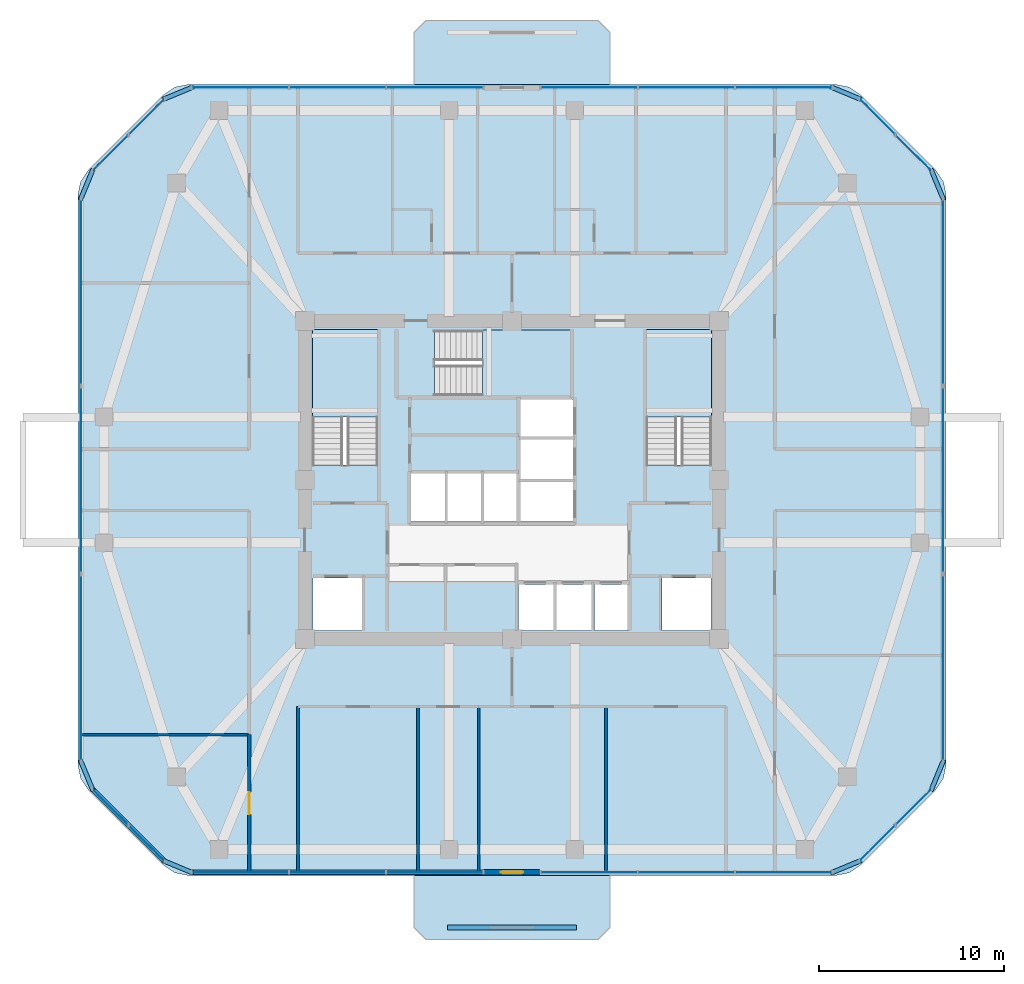
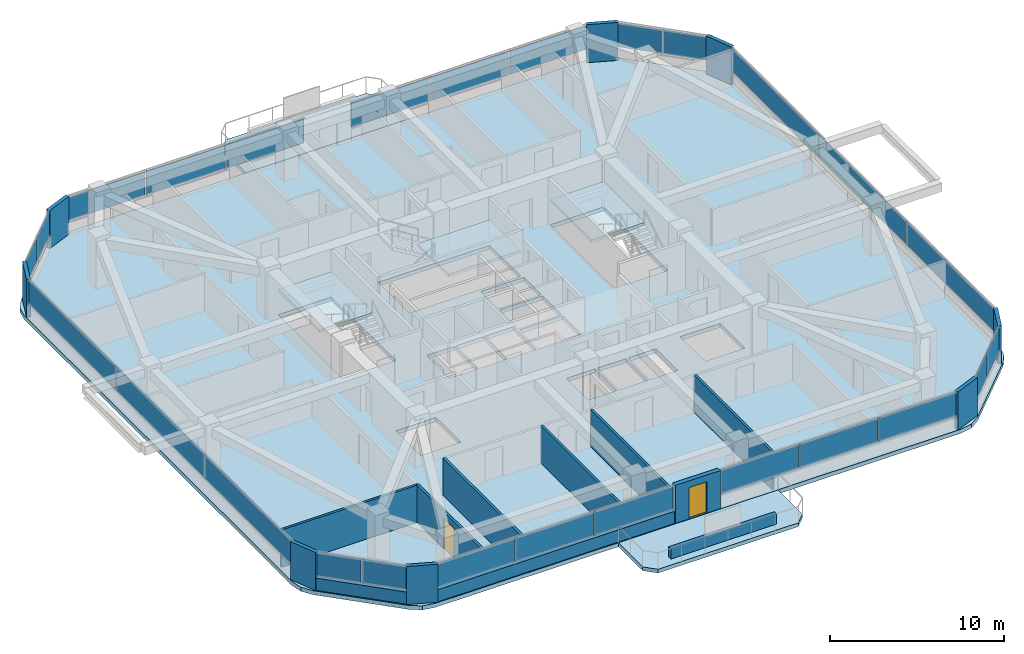
# One storey, part 6 of 12: 34 plates, 10 walls, 6 slabs, 2 doors, 2 openings, 13 elements without a shape of their own.
"""IFC4 building model written with IfcOpenShell, lengths in metres."""

import ifcopenshell
import ifcopenshell.guid

model = None  # the IFC model being written
_history = None  # IfcOwnerHistory: only IFC2X3 demands one
_inside = {}  # id of a spatial element -> (the spatial element, [elements in it])
_under = {}  # id of a project, library or spatial element -> (it, [spatial elements below it])
_declared = {}  # id of a project -> (the project, [libraries it declares])
_typed = {}  # id of a type object -> (the type object, [elements of that type])
_made_of = {}  # id of a material, layer set ... -> (it, [elements and type objects made of it])


def new_model(schema):
    """Start an empty IFC model of exactly this schema.

    Asked for "IFC4X3", IfcOpenShell would pick the latest addendum, in which some entities
    have other attributes; the version numbers below select the first issue.
    IFC2X3 requires an IfcOwnerHistory on every rooted entity: one is made here for all.
    """
    global model, _history
    if schema == "IFC4X3":
        model = ifcopenshell.file(schema_version=(4, 3, 0, 0))
    else:
        model = ifcopenshell.file(schema=schema)
    _inside.clear()
    _under.clear()
    _declared.clear()
    _typed.clear()
    _made_of.clear()
    _history = None
    if model.schema == "IFC2X3":
        org = make("IfcOrganization", Name="unknown")
        user = make(
            "IfcPersonAndOrganization",
            ThePerson=make("IfcPerson", FamilyName="unknown"),
            TheOrganization=org,
        )
        app = make(
            "IfcApplication",
            ApplicationDeveloper=org,
            Version="unknown",
            ApplicationFullName="unknown",
            ApplicationIdentifier="unknown",
        )
        _history = make(
            "IfcOwnerHistory",
            OwningUser=user,
            OwningApplication=app,
            ChangeAction="ADDED",
            CreationDate=0,
        )
    return model


def make(cls, **values):
    """One entity of the class cls with the attributes given. An attribute that is None is left unset."""
    return model.create_entity(
        cls, **{name: value for name, value in values.items() if value is not None}
    )


def rooted(cls, **values):
    """An entity with a GlobalId (a new one), such as an element, a storey or a relation."""
    return make(cls, GlobalId=ifcopenshell.guid.new(), OwnerHistory=_history, **values)


def si_unit(unit_type, name, prefix=None):
    """IfcSIUnit, for example si_unit("LENGTHUNIT", "METRE", prefix="MILLI")."""
    return make("IfcSIUnit", UnitType=unit_type, Prefix=prefix, Name=name)


def derived_unit(unit_type, elements):
    """IfcDerivedUnit: a product of units, each with its exponent."""
    return make(
        "IfcDerivedUnit",
        Elements=[
            make("IfcDerivedUnitElement", Unit=unit, Exponent=power)
            for unit, power in elements
        ],
        UnitType=unit_type,
    )


def assignment(units):
    """IfcUnitAssignment: the units of a project."""
    return None if units is None else make("IfcUnitAssignment", Units=units)


def point(xyz):
    """IfcCartesianPoint."""
    return None if xyz is None else make("IfcCartesianPoint", Coordinates=xyz)


def direction(xyz):
    """IfcDirection."""
    return None if xyz is None else make("IfcDirection", DirectionRatios=xyz)


def frame(location, z_axis=None, x_axis=None):
    """IfcAxis2Placement3D, a coordinate frame: its origin and axes. An axis left out is left unset."""
    return make(
        "IfcAxis2Placement3D",
        Location=point(location),
        Axis=direction(z_axis),
        RefDirection=direction(x_axis),
    )


def frame_2d(location, x_axis=None):
    """IfcAxis2Placement2D, a coordinate frame in the plane: its origin and x axis."""
    return make(
        "IfcAxis2Placement2D", Location=point(location), RefDirection=direction(x_axis)
    )


def origin():
    """The frame at (0, 0, 0) with its axes left unset."""
    return frame((0.0, 0.0, 0.0))


def origin_2d():
    """The frame at (0, 0) in the plane with its x axis left unset."""
    return frame_2d((0.0, 0.0))


def place(relative_to, where):
    """IfcLocalPlacement: puts the frame where relative to a parent placement (None: the world)."""
    return make(
        "IfcLocalPlacement", PlacementRelTo=relative_to, RelativePlacement=where
    )


def context(
    kind, dimensions, precision=None, world=None, true_north=None, identifier=None
):
    """IfcGeometricRepresentationContext, for example the 3D "Model" context."""
    return make(
        "IfcGeometricRepresentationContext",
        ContextIdentifier=identifier,
        ContextType=kind,
        CoordinateSpaceDimension=dimensions,
        Precision=precision,
        WorldCoordinateSystem=world,
        TrueNorth=true_north,
    )


def subcontext(parent, identifier, kind, view, scale=None):
    """IfcGeometricRepresentationSubContext, for example "Body" below "Model"."""
    return make(
        "IfcGeometricRepresentationSubContext",
        ContextIdentifier=identifier,
        ContextType=kind,
        ParentContext=parent,
        TargetScale=scale,
        TargetView=view,
    )


def project(units=None, contexts=None):
    """IfcProject with its units and contexts."""
    return rooted(
        "IfcProject",
        Name="project",
        RepresentationContexts=contexts,
        UnitsInContext=assignment(units),
    )


def spatial(cls, under=None, at=None, **own):
    """A site, building, storey or space (cls), placed at a placement, below another one or the project."""
    s = rooted(cls, ObjectPlacement=at, **own)
    if under is not None:
        _under.setdefault(under.id(), (under, []))[1].append(s)
    return s


def polyline(points):
    """IfcPolyline through the points."""
    return make("IfcPolyline", Points=[point(p) for p in points])


def profile(cls, at=None, kind="AREA", **sizes):
    """A parametric profile (cls). Its sizes go by their IFC names, for example OverallWidth=200.0."""
    return make(cls, ProfileType=kind, Position=at, **sizes)


def rectangle(**sizes):
    """IfcRectangleProfileDef."""
    return profile("IfcRectangleProfileDef", **sizes)


def outline(outer, holes=None, kind="AREA"):
    """IfcArbitraryClosedProfileDef: a profile drawn as a closed curve; with holes, ...WithVoids."""
    if holes is None:
        return make("IfcArbitraryClosedProfileDef", ProfileType=kind, OuterCurve=outer)
    return make(
        "IfcArbitraryProfileDefWithVoids",
        ProfileType=kind,
        OuterCurve=outer,
        InnerCurves=holes,
    )


def extrude(swept, where, along, depth):
    """IfcExtrudedAreaSolid: the profile swept, set in the frame where, extruded along a direction by depth."""
    return make(
        "IfcExtrudedAreaSolid",
        SweptArea=swept,
        Position=where,
        ExtrudedDirection=direction(along),
        Depth=depth,
    )


def shape(context_of_items, identifier, shape_type, items):
    """IfcShapeRepresentation: the items that make up one representation, for example the "Body"."""
    return make(
        "IfcShapeRepresentation",
        ContextOfItems=context_of_items,
        RepresentationIdentifier=identifier,
        RepresentationType=shape_type,
        Items=items,
    )


def material(Name=None, Category=None):
    """IfcMaterial."""
    return make("IfcMaterial", Name=Name, Category=Category)


def layer(
    of_material, thickness, ventilated=None, Name=None, Category=None, Priority=None
):
    """IfcMaterialLayer: one layer of a wall or slab, of a material (None: an air gap)."""
    return make(
        "IfcMaterialLayer",
        Material=of_material,
        LayerThickness=thickness,
        IsVentilated=ventilated,
        Name=Name,
        Category=Category,
        Priority=Priority,
    )


def layer_set(layers, Name=None):
    """IfcMaterialLayerSet."""
    return make("IfcMaterialLayerSet", MaterialLayers=layers, LayerSetName=Name)


def made_of(thing, what):
    """Note that an element or type object is made of a material, layer set ...; save() writes the relation."""
    if what is not None:
        _made_of.setdefault(what.id(), (what, []))[1].append(thing)
    return thing


def type_object(cls, material=None, **own):
    """A type object (cls), such as IfcWallType, which elements share."""
    return made_of(rooted(cls, **own), material)


def element(
    cls,
    number,
    at=None,
    inside=None,
    cuts=None,
    type_object=None,
    material=None,
    context=None,
    identifier="Body",
    shape_type=None,
    held_by="IfcProductDefinitionShape",
    body=None,
    shapes=None,
    **own,
):
    """One element of the class cls, such as IfcWall. Its Tag is "e" and its number.

    at: its placement. inside: the storey or other place that contains it. cuts: it is an
    opening in that element (IfcRelVoidsElement). A single representation is given by context,
    identifier, shape_type and body (its items); several are given by shapes. held_by: the class
    of the entity that holds the representations. save() writes the other relations.
    """
    e = rooted(cls, Tag="e%d" % number, ObjectPlacement=at, **own)
    if body is not None:
        shapes = [shape(context, identifier, shape_type, body)]
    if shapes is not None:
        e.Representation = make(held_by, Representations=shapes)
    if inside is not None:
        _inside.setdefault(inside.id(), (inside, []))[1].append(e)
    if cuts is not None:
        rooted(
            "IfcRelVoidsElement", RelatingBuildingElement=cuts, RelatedOpeningElement=e
        )
    if type_object is not None:
        _typed.setdefault(type_object.id(), (type_object, []))[1].append(e)
    return made_of(e, material)


def fill(opening, filler):
    """IfcRelFillsElement: the door or window that sits in an opening."""
    return rooted(
        "IfcRelFillsElement",
        RelatingOpeningElement=opening,
        RelatedBuildingElement=filler,
    )


def aggregate(whole, parts):
    """IfcRelAggregates: a whole, such as a stair, and the parts it consists of."""
    return rooted("IfcRelAggregates", RelatingObject=whole, RelatedObjects=parts)


def save(model, path):
    """Write the relations noted so far, then the file.

    IfcRelAggregates (storeys below a building ...), IfcRelContainedInSpatialStructure (elements
    in a storey), IfcRelDefinesByType, IfcRelAssociatesMaterial and IfcRelDeclares: one each for
    every whole, place, type object, material and project.
    """
    for whole, parts in _under.values():
        aggregate(whole, parts)
    for where, things in _inside.values():
        rooted(
            "IfcRelContainedInSpatialStructure",
            RelatedElements=things,
            RelatingStructure=where,
        )
    for kind, things in _typed.values():
        rooted("IfcRelDefinesByType", RelatedObjects=things, RelatingType=kind)
    for what, things in _made_of.values():
        rooted("IfcRelAssociatesMaterial", RelatedObjects=things, RelatingMaterial=what)
    for by, libraries in _declared.values():
        rooted("IfcRelDeclares", RelatingContext=by, RelatedDefinitions=libraries)
    model.write(path)


model = new_model("IFC4")

# Units and contexts
model_context = context("Model", 3, precision=1e-05, world=origin(), true_north=direction((0.0, 1.0)))
body_context = subcontext(model_context, "Body", "Model", "MODEL_VIEW")
ifc_project = project(units=[si_unit("LENGTHUNIT", "METRE"), si_unit("AREAUNIT", "SQUARE_METRE"), si_unit("VOLUMEUNIT", "CUBIC_METRE"), si_unit("PLANEANGLEUNIT", "RADIAN"), si_unit("MASSUNIT", "GRAM", prefix="KILO"), derived_unit("THERMALTRANSMITTANCEUNIT", [(si_unit("POWERUNIT", "WATT"), 1), (si_unit("LENGTHUNIT", "METRE"), -2), (si_unit("THERMODYNAMICTEMPERATUREUNIT", "KELVIN"), -1)])], contexts=[model_context])

# Site, building, storey
site_placement = place(None, origin())
site = spatial("IfcSite", under=ifc_project, at=site_placement, CompositionType="ELEMENT")
building_placement = place(site_placement, origin())
building = spatial("IfcBuilding", under=site, at=building_placement, Name="Koralith Skygarden Medical Center", CompositionType="ELEMENT")
storey_placement = place(building_placement, frame((0.0, 0.0, 138.419921875)))
storey = spatial("IfcBuildingStorey", under=building, at=storey_placement, Name="L35", CompositionType="ELEMENT", Elevation=138.419921875)

# Curtain wall, plates
ifc_material_1 = material(Name="Clear Laminated Glass", Category="glass")
curtain_wall_type = type_object("IfcCurtainWallType", Name="CW-4 Zone 3 Waist High-Wind Curtain Wall", PredefinedType="NOTDEFINED", material=ifc_material_1)
curtain_wall_1_placement = place(storey_placement, origin())
curtain_wall_1 = element("IfcCurtainWall", 1, at=curtain_wall_1_placement, inside=storey, type_object=curtain_wall_type, Name="Curtain Wall CW-L35-S-L", PredefinedType="NOTDEFINED")
ifc_layer_1 = layer(ifc_material_1, 0.035888671875)
ifc_layer_set_1 = layer_set([ifc_layer_1], Name="Clear Laminated Glass")
plate_type_1 = type_object("IfcPlateType", Name="CW-4 Hurricane Laminated IGU Panel 36", PredefinedType="CURTAIN_PANEL", material=ifc_layer_set_1)
plate_1_placement = place(storey_placement, frame((22.302001953125, 4.679931640625, 0.919921875), z_axis=(0.0, 0.0, 1.0), x_axis=(1.0, 0.0, 0.0)))
plate_1 = element("IfcPlate", 2, at=plate_1_placement, type_object=plate_type_1, Name="CW-L35-S-L Glazed Panel 1", PredefinedType="CURTAIN_PANEL", context=body_context, shape_type="SweptSolid", body=[
    extrude(rectangle(XDim=5.173095703125, YDim=0.035888671875, at=origin_2d()), origin(), (0.0, 0.0, 1.0), 1.679931640625),
])
plate_2_placement = place(storey_placement, frame((27.56494140625, 4.679931640625, 0.919921875), z_axis=(0.0, 0.0, 1.0), x_axis=(1.0, 0.0, 0.0)))
plate_2 = element("IfcPlate", 3, at=plate_2_placement, type_object=plate_type_1, Name="CW-L35-S-L Glazed Panel 2", PredefinedType="CURTAIN_PANEL", context=body_context, shape_type="SweptSolid", body=[
    extrude(rectangle(XDim=5.173095703125, YDim=0.035888671875, at=origin_2d()), origin(), (0.0, 0.0, 1.0), 1.679931640625),
])
plate_3_placement = place(storey_placement, frame((32.827880859375, 4.679931640625, 0.919921875), z_axis=(0.0, 0.0, 1.0), x_axis=(1.0, 0.0, 0.0)))
plate_3 = element("IfcPlate", 4, at=plate_3_placement, type_object=plate_type_1, Name="CW-L35-S-L Glazed Panel 3", PredefinedType="CURTAIN_PANEL", context=body_context, shape_type="SweptSolid", body=[
    extrude(rectangle(XDim=5.173095703125, YDim=0.035888671875, at=origin_2d()), origin(), (0.0, 0.0, 1.0), 1.679931640625),
])
aggregate(curtain_wall_1, [plate_1, plate_2, plate_3])

curtain_wall_2_placement = place(storey_placement, origin())
curtain_wall_2 = element("IfcCurtainWall", 5, at=curtain_wall_2_placement, inside=storey, type_object=curtain_wall_type, Name="Curtain Wall CW-L35-S-R", PredefinedType="NOTDEFINED")
plate_4_placement = place(storey_placement, frame((41.1708984375, 4.679931640625, 0.919921875), z_axis=(0.0, 0.0, 1.0), x_axis=(1.0, 0.0, 0.0)))
plate_4 = element("IfcPlate", 6, at=plate_4_placement, type_object=plate_type_1, Name="CW-L35-S-R Glazed Panel 1", PredefinedType="CURTAIN_PANEL", context=body_context, shape_type="SweptSolid", body=[
    extrude(rectangle(XDim=5.173095703125, YDim=0.035888671875, at=origin_2d()), origin(), (0.0, 0.0, 1.0), 1.679931640625),
])
plate_5_placement = place(storey_placement, frame((46.43408203125, 4.679931640625, 0.919921875), z_axis=(0.0, 0.0, 1.0), x_axis=(1.0, 0.0, 0.0)))
plate_5 = element("IfcPlate", 7, at=plate_5_placement, type_object=plate_type_1, Name="CW-L35-S-R Glazed Panel 2", PredefinedType="CURTAIN_PANEL", context=body_context, shape_type="SweptSolid", body=[
    extrude(rectangle(XDim=5.173095703125, YDim=0.035888671875, at=origin_2d()), origin(), (0.0, 0.0, 1.0), 1.679931640625),
])
plate_6_placement = place(storey_placement, frame((51.697021484375, 4.679931640625, 0.919921875), z_axis=(0.0, 0.0, 1.0), x_axis=(1.0, 0.0, 0.0)))
plate_6 = element("IfcPlate", 8, at=plate_6_placement, type_object=plate_type_1, Name="CW-L35-S-R Glazed Panel 3", PredefinedType="CURTAIN_PANEL", context=body_context, shape_type="SweptSolid", body=[
    extrude(rectangle(XDim=5.173095703125, YDim=0.035888671875, at=origin_2d()), origin(), (0.0, 0.0, 1.0), 1.679931640625),
])
aggregate(curtain_wall_2, [plate_4, plate_5, plate_6])

curtain_wall_3_placement = place(storey_placement, origin())
curtain_wall_3 = element("IfcCurtainWall", 9, at=curtain_wall_3_placement, inside=storey, type_object=curtain_wall_type, Name="Curtain Wall CW-L35-SE", PredefinedType="NOTDEFINED")
plate_7_placement = place(storey_placement, frame((56.760986328125, 6.261962890625, 0.919921875), z_axis=(0.0, 0.0, 1.0), x_axis=(0.707106781187, 0.707106781187, 0.0)))
plate_7 = element("IfcPlate", 10, at=plate_7_placement, type_object=plate_type_1, Name="CW-L35-SE Glazed Panel 1", PredefinedType="CURTAIN_PANEL", context=body_context, shape_type="SweptSolid", body=[
    extrude(rectangle(XDim=2.68408203125, YDim=0.035888671875, at=origin_2d()), origin(), (0.0, 0.0, 1.0), 1.679931640625),
])
plate_8_placement = place(storey_placement, frame((58.721923828125, 8.222900390625, 0.919921875), z_axis=(0.0, 0.0, 1.0), x_axis=(0.707106781187, 0.707106781187, 0.0)))
plate_8 = element("IfcPlate", 11, at=plate_8_placement, type_object=plate_type_1, Name="CW-L35-SE Glazed Panel 2", PredefinedType="CURTAIN_PANEL", context=body_context, shape_type="SweptSolid", body=[
    extrude(rectangle(XDim=2.68408203125, YDim=0.035888671875, at=origin_2d()), origin(), (0.0, 0.0, 1.0), 1.679931640625),
])
aggregate(curtain_wall_3, [plate_7, plate_8])

curtain_wall_4_placement = place(storey_placement, origin())
curtain_wall_4 = element("IfcCurtainWall", 12, at=curtain_wall_4_placement, inside=storey, type_object=curtain_wall_type, Name="Curtain Wall CW-L35-E", PredefinedType="NOTDEFINED")
plate_9_placement = place(storey_placement, frame((60.303955078125, 15.737060546875, 0.919921875), z_axis=(0.0, 0.0, 1.0), x_axis=(0.0, 1.0, 0.0)))
plate_9 = element("IfcPlate", 13, at=plate_9_placement, type_object=plate_type_1, Name="CW-L35-E Glazed Panel 1", PredefinedType="CURTAIN_PANEL", context=body_context, shape_type="SweptSolid", body=[
    extrude(rectangle(XDim=10.072998046875, YDim=0.035888671875, at=origin_2d()), origin(), (0.0, 0.0, 1.0), 1.679931640625),
])
plate_10_placement = place(storey_placement, frame((60.303955078125, 25.89990234375, 0.919921875), z_axis=(0.0, 0.0, 1.0), x_axis=(0.0, 1.0, 0.0)))
plate_10 = element("IfcPlate", 14, at=plate_10_placement, type_object=plate_type_1, Name="CW-L35-E Glazed Panel 2", PredefinedType="CURTAIN_PANEL", context=body_context, shape_type="SweptSolid", body=[
    extrude(rectangle(XDim=10.072998046875, YDim=0.035888671875, at=origin_2d()), origin(), (0.0, 0.0, 1.0), 1.679931640625),
])
plate_11_placement = place(storey_placement, frame((60.303955078125, 36.06298828125, 0.919921875), z_axis=(0.0, 0.0, 1.0), x_axis=(0.0, 1.0, 0.0)))
plate_11 = element("IfcPlate", 15, at=plate_11_placement, type_object=plate_type_1, Name="CW-L35-E Glazed Panel 3", PredefinedType="CURTAIN_PANEL", context=body_context, shape_type="SweptSolid", body=[
    extrude(rectangle(XDim=10.072998046875, YDim=0.035888671875, at=origin_2d()), origin(), (0.0, 0.0, 1.0), 1.679931640625),
])
aggregate(curtain_wall_4, [plate_9, plate_10, plate_11])

curtain_wall_5_placement = place(storey_placement, origin())
curtain_wall_5 = element("IfcCurtainWall", 16, at=curtain_wall_5_placement, inside=storey, type_object=curtain_wall_type, Name="Curtain Wall CW-L35-NE", PredefinedType="NOTDEFINED")
plate_12_placement = place(storey_placement, frame((58.721923828125, 43.576904296875, 0.919921875), z_axis=(0.0, 0.0, 1.0), x_axis=(-0.707106781187, 0.707106781187, 0.0)))
plate_12 = element("IfcPlate", 17, at=plate_12_placement, type_object=plate_type_1, Name="CW-L35-NE Glazed Panel 1", PredefinedType="CURTAIN_PANEL", context=body_context, shape_type="SweptSolid", body=[
    extrude(rectangle(XDim=2.68408203125, YDim=0.035888671875, at=origin_2d()), origin(), (0.0, 0.0, 1.0), 1.679931640625),
])
plate_13_placement = place(storey_placement, frame((56.760986328125, 45.5380859375, 0.919921875), z_axis=(0.0, 0.0, 1.0), x_axis=(-0.707106781187, 0.707106781187, 0.0)))
plate_13 = element("IfcPlate", 18, at=plate_13_placement, type_object=plate_type_1, Name="CW-L35-NE Glazed Panel 2", PredefinedType="CURTAIN_PANEL", context=body_context, shape_type="SweptSolid", body=[
    extrude(rectangle(XDim=2.68408203125, YDim=0.035888671875, at=origin_2d()), origin(), (0.0, 0.0, 1.0), 1.679931640625),
])
aggregate(curtain_wall_5, [plate_12, plate_13])

curtain_wall_6_placement = place(storey_placement, origin())
curtain_wall_6 = element("IfcCurtainWall", 19, at=curtain_wall_6_placement, inside=storey, type_object=curtain_wall_type, Name="Curtain Wall CW-L35-N-L", PredefinedType="NOTDEFINED")
plate_14_placement = place(storey_placement, frame((51.697998046875, 47.1201171875, 0.919921875), z_axis=(0.0, 0.0, 1.0), x_axis=(-1.0, 0.0, 0.0)))
plate_14 = element("IfcPlate", 20, at=plate_14_placement, type_object=plate_type_1, Name="CW-L35-N-L Glazed Panel 1", PredefinedType="CURTAIN_PANEL", context=body_context, shape_type="SweptSolid", body=[
    extrude(rectangle(XDim=5.173095703125, YDim=0.035888671875, at=origin_2d()), origin(), (0.0, 0.0, 1.0), 1.679931640625),
])
plate_15_placement = place(storey_placement, frame((46.43505859375, 47.1201171875, 0.919921875), z_axis=(0.0, 0.0, 1.0), x_axis=(-1.0, 0.0, 0.0)))
plate_15 = element("IfcPlate", 21, at=plate_15_placement, type_object=plate_type_1, Name="CW-L35-N-L Glazed Panel 2", PredefinedType="CURTAIN_PANEL", context=body_context, shape_type="SweptSolid", body=[
    extrude(rectangle(XDim=5.173095703125, YDim=0.035888671875, at=origin_2d()), origin(), (0.0, 0.0, 1.0), 1.679931640625),
])
plate_16_placement = place(storey_placement, frame((41.172119140625, 47.1201171875, 0.919921875), z_axis=(0.0, 0.0, 1.0), x_axis=(-1.0, 0.0, 0.0)))
plate_16 = element("IfcPlate", 22, at=plate_16_placement, type_object=plate_type_1, Name="CW-L35-N-L Glazed Panel 3", PredefinedType="CURTAIN_PANEL", context=body_context, shape_type="SweptSolid", body=[
    extrude(rectangle(XDim=5.173095703125, YDim=0.035888671875, at=origin_2d()), origin(), (0.0, 0.0, 1.0), 1.679931640625),
])
aggregate(curtain_wall_6, [plate_14, plate_15, plate_16])

curtain_wall_7_placement = place(storey_placement, origin())
curtain_wall_7 = element("IfcCurtainWall", 23, at=curtain_wall_7_placement, inside=storey, type_object=curtain_wall_type, Name="Curtain Wall CW-L35-N-R", PredefinedType="NOTDEFINED")
plate_17_placement = place(storey_placement, frame((32.8291015625, 47.1201171875, 0.919921875), z_axis=(0.0, 0.0, 1.0), x_axis=(-1.0, 0.0, 0.0)))
plate_17 = element("IfcPlate", 24, at=plate_17_placement, type_object=plate_type_1, Name="CW-L35-N-R Glazed Panel 1", PredefinedType="CURTAIN_PANEL", context=body_context, shape_type="SweptSolid", body=[
    extrude(rectangle(XDim=5.173095703125, YDim=0.035888671875, at=origin_2d()), origin(), (0.0, 0.0, 1.0), 1.679931640625),
])
plate_18_placement = place(storey_placement, frame((27.56591796875, 47.1201171875, 0.919921875), z_axis=(0.0, 0.0, 1.0), x_axis=(-1.0, 0.0, 0.0)))
plate_18 = element("IfcPlate", 25, at=plate_18_placement, type_object=plate_type_1, Name="CW-L35-N-R Glazed Panel 2", PredefinedType="CURTAIN_PANEL", context=body_context, shape_type="SweptSolid", body=[
    extrude(rectangle(XDim=5.173095703125, YDim=0.035888671875, at=origin_2d()), origin(), (0.0, 0.0, 1.0), 1.679931640625),
])
plate_19_placement = place(storey_placement, frame((22.302978515625, 47.1201171875, 0.919921875), z_axis=(0.0, 0.0, 1.0), x_axis=(-1.0, 0.0, 0.0)))
plate_19 = element("IfcPlate", 26, at=plate_19_placement, type_object=plate_type_1, Name="CW-L35-N-R Glazed Panel 3", PredefinedType="CURTAIN_PANEL", context=body_context, shape_type="SweptSolid", body=[
    extrude(rectangle(XDim=5.173095703125, YDim=0.035888671875, at=origin_2d()), origin(), (0.0, 0.0, 1.0), 1.679931640625),
])
aggregate(curtain_wall_7, [plate_17, plate_18, plate_19])

curtain_wall_8_placement = place(storey_placement, origin())
curtain_wall_8 = element("IfcCurtainWall", 27, at=curtain_wall_8_placement, inside=storey, type_object=curtain_wall_type, Name="Curtain Wall CW-L35-NW", PredefinedType="NOTDEFINED")
plate_20_placement = place(storey_placement, frame((17.239013671875, 45.5380859375, 0.919921875), z_axis=(0.0, 0.0, 1.0), x_axis=(-0.707106781187, -0.707106781187, 0.0)))
plate_20 = element("IfcPlate", 28, at=plate_20_placement, type_object=plate_type_1, Name="CW-L35-NW Glazed Panel 1", PredefinedType="CURTAIN_PANEL", context=body_context, shape_type="SweptSolid", body=[
    extrude(rectangle(XDim=2.68408203125, YDim=0.035888671875, at=origin_2d()), origin(), (0.0, 0.0, 1.0), 1.679931640625),
])
plate_21_placement = place(storey_placement, frame((15.278076171875, 43.576904296875, 0.919921875), z_axis=(0.0, 0.0, 1.0), x_axis=(-0.707106781187, -0.707106781187, 0.0)))
plate_21 = element("IfcPlate", 29, at=plate_21_placement, type_object=plate_type_1, Name="CW-L35-NW Glazed Panel 2", PredefinedType="CURTAIN_PANEL", context=body_context, shape_type="SweptSolid", body=[
    extrude(rectangle(XDim=2.68408203125, YDim=0.035888671875, at=origin_2d()), origin(), (0.0, 0.0, 1.0), 1.679931640625),
])
aggregate(curtain_wall_8, [plate_20, plate_21])

curtain_wall_9_placement = place(storey_placement, origin())
curtain_wall_9 = element("IfcCurtainWall", 30, at=curtain_wall_9_placement, inside=storey, type_object=curtain_wall_type, Name="Curtain Wall CW-L35-W", PredefinedType="NOTDEFINED")
plate_22_placement = place(storey_placement, frame((13.696044921875, 36.06298828125, 0.919921875), z_axis=(0.0, 0.0, 1.0), x_axis=(0.0, -1.0, 0.0)))
plate_22 = element("IfcPlate", 31, at=plate_22_placement, type_object=plate_type_1, Name="CW-L35-W Glazed Panel 1", PredefinedType="CURTAIN_PANEL", context=body_context, shape_type="SweptSolid", body=[
    extrude(rectangle(XDim=10.072998046875, YDim=0.035888671875, at=origin_2d()), origin(), (0.0, 0.0, 1.0), 1.679931640625),
])
plate_23_placement = place(storey_placement, frame((13.696044921875, 25.89990234375, 0.919921875), z_axis=(0.0, 0.0, 1.0), x_axis=(0.0, -1.0, 0.0)))
plate_23 = element("IfcPlate", 32, at=plate_23_placement, type_object=plate_type_1, Name="CW-L35-W Glazed Panel 2", PredefinedType="CURTAIN_PANEL", context=body_context, shape_type="SweptSolid", body=[
    extrude(rectangle(XDim=10.072998046875, YDim=0.035888671875, at=origin_2d()), origin(), (0.0, 0.0, 1.0), 1.679931640625),
])
plate_24_placement = place(storey_placement, frame((13.696044921875, 15.737060546875, 0.919921875), z_axis=(0.0, 0.0, 1.0), x_axis=(0.0, -1.0, 0.0)))
plate_24 = element("IfcPlate", 33, at=plate_24_placement, type_object=plate_type_1, Name="CW-L35-W Glazed Panel 3", PredefinedType="CURTAIN_PANEL", context=body_context, shape_type="SweptSolid", body=[
    extrude(rectangle(XDim=10.072998046875, YDim=0.035888671875, at=origin_2d()), origin(), (0.0, 0.0, 1.0), 1.679931640625),
])
aggregate(curtain_wall_9, [plate_22, plate_23, plate_24])

curtain_wall_10_placement = place(storey_placement, origin())
curtain_wall_10 = element("IfcCurtainWall", 34, at=curtain_wall_10_placement, inside=storey, type_object=curtain_wall_type, Name="Curtain Wall CW-L35-SW", PredefinedType="NOTDEFINED")
plate_25_placement = place(storey_placement, frame((15.278076171875, 8.222900390625, 0.919921875), z_axis=(0.0, 0.0, 1.0), x_axis=(0.707106781187, -0.707106781187, 0.0)))
plate_25 = element("IfcPlate", 35, at=plate_25_placement, type_object=plate_type_1, Name="CW-L35-SW Glazed Panel 1", PredefinedType="CURTAIN_PANEL", context=body_context, shape_type="SweptSolid", body=[
    extrude(rectangle(XDim=2.68408203125, YDim=0.035888671875, at=origin_2d()), origin(), (0.0, 0.0, 1.0), 1.679931640625),
])
plate_26_placement = place(storey_placement, frame((17.239013671875, 6.261962890625, 0.919921875), z_axis=(0.0, 0.0, 1.0), x_axis=(0.707106781187, -0.707106781187, 0.0)))
plate_26 = element("IfcPlate", 36, at=plate_26_placement, type_object=plate_type_1, Name="CW-L35-SW Glazed Panel 2", PredefinedType="CURTAIN_PANEL", context=body_context, shape_type="SweptSolid", body=[
    extrude(rectangle(XDim=2.68408203125, YDim=0.035888671875, at=origin_2d()), origin(), (0.0, 0.0, 1.0), 1.679931640625),
])
aggregate(curtain_wall_10, [plate_25, plate_26])

# Slabs
ifc_material_2 = material(Name="Concrete C45/55", Category="concrete")
ifc_layer_2 = layer(ifc_material_2, 0.260009765625)
ifc_layer_set_2 = layer_set([ifc_layer_2], Name="Concrete C45/55")
slab_type_1 = type_object("IfcSlabType", Name="Cantilevered Planted Balcony Slab 260", PredefinedType="FLOOR", material=ifc_layer_set_2)
slab_1_placement = place(storey_placement, frame((0.0, 0.0, -0.260009765625)))
element("IfcSlab", 37, at=slab_1_placement, inside=storey, type_object=slab_type_1, Name="L35 N Planted Sky-Garden Balcony Slab", PredefinedType="FLOOR", context=body_context, shape_type="SweptSolid", body=[
    extrude(outline(polyline([(31.699951171875, 47.300048828125), (42.300048828125, 47.300048828125), (42.300048828125, 50.10009765625), (41.64990234375, 50.75), (32.35009765625, 50.75), (31.699951171875, 50.10009765625), (31.699951171875, 47.300048828125)])), origin(), (0.0, 0.0, 1.0), 0.260009765625),
])
slab_2_placement = place(storey_placement, frame((0.0, 0.0, -0.260009765625)))
element("IfcSlab", 38, at=slab_2_placement, inside=storey, type_object=slab_type_1, Name="L35 S Planted Sky-Garden Balcony Slab", PredefinedType="FLOOR", context=body_context, shape_type="SweptSolid", body=[
    extrude(outline(polyline([(32.35009765625, 1.050048828125), (41.64990234375, 1.050048828125), (42.300048828125, 1.699951171875), (42.300048828125, 4.5), (31.699951171875, 4.5), (31.699951171875, 1.699951171875), (32.35009765625, 1.050048828125)])), origin(), (0.0, 0.0, 1.0), 0.260009765625),
])

# Stair, slab
stair_type = type_object("IfcStairType", Name="Core Exit Dogleg Concrete Stair", PredefinedType="HALF_TURN_STAIR", material=ifc_material_2)
stair_1_placement = place(storey_placement, origin())
stair_1 = element("IfcStair", 39, at=stair_1_placement, inside=storey, type_object=stair_type, Name="L35 Smokeproof Exit Stair ST1", PredefinedType="HALF_TURN_STAIR")
ifc_layer_3 = layer(ifc_material_2, 0.199951171875)
ifc_layer_set_3 = layer_set([ifc_layer_3], Name="Concrete C45/55")
slab_type_2 = type_object("IfcSlabType", Name="Core Exit Concrete Stair Landing 200", PredefinedType="LANDING", material=ifc_layer_set_3)
slab_3_placement = place(storey_placement, frame((0.0, 0.0, 1.60009765625)))
slab_3 = element("IfcSlab", 40, at=slab_3_placement, type_object=slab_type_2, Name="ST1 landing 1", PredefinedType="LANDING", context=body_context, shape_type="SweptSolid", body=[
    extrude(outline(polyline([(29.75, 29.31005859375), (29.75, 34.050048828125), (26.199951171875, 34.050048828125), (26.199951171875, 29.31005859375), (29.75, 29.31005859375)])), origin(), (0.0, 0.0, 1.0), 0.199951171875),
])
aggregate(stair_1, [slab_3])

stair_2_placement = place(storey_placement, origin())
stair_2 = element("IfcStair", 41, at=stair_2_placement, inside=storey, type_object=stair_type, Name="L35 Smokeproof Exit Stair ST2", PredefinedType="HALF_TURN_STAIR")
slab_4_placement = place(storey_placement, frame((0.0, 0.0, 1.60009765625)))
slab_4 = element("IfcSlab", 42, at=slab_4_placement, type_object=slab_type_2, Name="ST2 landing 1", PredefinedType="LANDING", context=body_context, shape_type="SweptSolid", body=[
    extrude(outline(polyline([(47.800048828125, 29.31005859375), (47.800048828125, 34.050048828125), (44.25, 34.050048828125), (44.25, 29.31005859375), (47.800048828125, 29.31005859375)])), origin(), (0.0, 0.0, 1.0), 0.199951171875),
])
aggregate(stair_2, [slab_4])

stair_3_placement = place(storey_placement, origin())
stair_3 = element("IfcStair", 43, at=stair_3_placement, inside=storey, type_object=stair_type, Name="L35 Smokeproof Exit Stair ST3", PredefinedType="HALF_TURN_STAIR")
slab_5_placement = place(storey_placement, frame((0.0, 0.0, 1.60009765625)))
slab_5 = element("IfcSlab", 44, at=slab_5_placement, type_object=slab_type_2, Name="ST3 landing 1", PredefinedType="LANDING", context=body_context, shape_type="SweptSolid", body=[
    extrude(outline(polyline([(35.409912109375, 30.449951171875), (40.199951171875, 30.449951171875), (40.199951171875, 34.0), (35.409912109375, 34.0), (35.409912109375, 30.449951171875)])), origin(), (0.0, 0.0, 1.0), 0.199951171875),
])
aggregate(stair_3, [slab_5])

# Slab
ifc_layer_4 = layer(ifc_material_2, 0.280029296875)
ifc_layer_set_4 = layer_set([ifc_layer_4], Name="Concrete C45/55")
slab_type_3 = type_object("IfcSlabType", Name="Post-Tensioned Ward Floor Plate 280", PredefinedType="FLOOR", material=ifc_layer_set_4)
slab_6_placement = place(storey_placement, frame((0.0, 0.0, -0.280029296875)))
element("IfcSlab", 45, at=slab_6_placement, inside=storey, type_object=slab_type_3, Name="Level L35 Structural Floor Slab", PredefinedType="FLOOR", context=body_context, shape_type="SweptSolid", body=[
    extrude(outline(polyline([(18.1298828125, 5.0859375), (18.779052734375, 4.652099609375), (19.5439453125, 4.5), (54.4560546875, 4.5), (55.220947265625, 4.652099609375), (55.8701171875, 5.0859375), (59.89794921875, 9.114013671875), (60.33203125, 9.762939453125), (60.48388671875, 10.528076171875), (60.48388671875, 41.27197265625), (60.33203125, 42.037109375), (59.89794921875, 42.68603515625), (55.8701171875, 46.714111328125), (55.220947265625, 47.14794921875), (54.4560546875, 47.300048828125), (19.5439453125, 47.300048828125), (18.779052734375, 47.14794921875), (18.1298828125, 46.714111328125), (14.10205078125, 42.68603515625), (13.66796875, 42.037109375), (13.51611328125, 41.27197265625), (13.51611328125, 10.528076171875), (13.66796875, 9.762939453125), (14.10205078125, 9.114013671875), (18.1298828125, 5.0859375)]), holes=[polyline([(26.199951171875, 26.705078125), (29.75, 26.705078125), (29.75, 34.050048828125), (26.199951171875, 34.050048828125), (26.199951171875, 26.705078125)]), polyline([(44.25, 26.705078125), (47.800048828125, 26.705078125), (47.800048828125, 34.050048828125), (44.25, 34.050048828125), (44.25, 26.705078125)]), polyline([(32.804931640625, 30.449951171875), (40.199951171875, 30.449951171875), (40.199951171875, 34.0), (32.804931640625, 34.0), (32.804931640625, 30.449951171875)]), polyline([(26.25, 17.75), (28.89990234375, 17.75), (28.89990234375, 20.60009765625), (26.25, 20.60009765625), (26.25, 17.75)]), polyline([(45.10009765625, 17.75), (47.75, 17.75), (47.75, 20.60009765625), (45.10009765625, 20.60009765625), (45.10009765625, 17.75)]), polyline([(37.35009765625, 17.75), (39.25, 17.75), (39.25, 20.25), (37.35009765625, 20.25), (37.35009765625, 17.75)]), polyline([(39.39990234375, 17.75), (41.300048828125, 17.75), (41.300048828125, 20.25), (39.39990234375, 20.25), (39.39990234375, 17.75)]), polyline([(41.449951171875, 17.75), (43.300048828125, 17.75), (43.300048828125, 20.25), (41.449951171875, 20.25), (41.449951171875, 17.75)]), polyline([(31.550048828125, 23.64990234375), (33.39990234375, 23.64990234375), (33.39990234375, 26.25), (31.550048828125, 26.25), (31.550048828125, 23.64990234375)]), polyline([(33.5, 23.64990234375), (35.35009765625, 23.64990234375), (35.35009765625, 26.25), (33.5, 26.25), (33.5, 23.64990234375)]), polyline([(35.449951171875, 23.64990234375), (37.300048828125, 23.64990234375), (37.300048828125, 26.25), (35.449951171875, 26.25), (35.449951171875, 23.64990234375)]), polyline([(37.449951171875, 23.64990234375), (40.300048828125, 23.64990234375), (40.300048828125, 25.800048828125), (37.449951171875, 25.800048828125), (37.449951171875, 23.64990234375)]), polyline([(37.449951171875, 25.949951171875), (40.300048828125, 25.949951171875), (40.300048828125, 28.10009765625), (37.449951171875, 28.10009765625), (37.449951171875, 25.949951171875)]), polyline([(37.449951171875, 28.25), (40.300048828125, 28.25), (40.300048828125, 30.25), (37.449951171875, 30.25), (37.449951171875, 28.25)])]), origin(), (0.0, 0.0, 1.0), 0.280029296875),
])

# Plates
ifc_material_3 = material(Name="Warm Oolitic Limestone Cladding", Category="masonry")
ifc_layer_5 = layer(ifc_material_3, 0.239990234375)
ifc_layer_set_5 = layer_set([ifc_layer_5], Name="Warm Oolitic Limestone Cladding")
plate_type_2 = type_object("IfcPlateType", Name="Rounded-Corner Oolitic Limestone Cladding Panel 240", PredefinedType="USERDEFINED", material=ifc_layer_set_5)
for number, where, z_axis, x_axis, name in (
    (46, (55.054931640625, 4.97998046875, 0.0), (0.0, 0.0, 1.0), (0.92388487569, 0.382670532536, 0.0), "L35 Rounded-Corner Limestone Pier 1"),
    (47, (60.00390625, 9.929931640625, 0.0), (0.0, 0.0, 1.0), (0.382670532536, 0.92388487569, 0.0), "L35 Rounded-Corner Limestone Pier 2"),
    (48, (60.00390625, 41.8701171875, 0.0), (0.0, 0.0, 1.0), (-0.382670532536, 0.92388487569, 0.0), "L35 Rounded-Corner Limestone Pier 3"),
    (49, (55.054931640625, 46.819091796875, 0.0), (0.0, 0.0, 1.0), (-0.92388487569, 0.382670532536, 0.0), "L35 Rounded-Corner Limestone Pier 4"),
    (50, (18.945068359375, 46.819091796875, 0.0), (0.0, 0.0, 1.0), (-0.92388487569, -0.382670532536, 0.0), "L35 Rounded-Corner Limestone Pier 5"),
    (51, (13.9970703125, 41.8701171875, 0.0), (0.0, 0.0, 1.0), (-0.382670532536, -0.92388487569, 0.0), "L35 Rounded-Corner Limestone Pier 6"),
    (52, (13.9970703125, 9.929931640625, 0.0), (0.0, 0.0, 1.0), (0.382670532536, -0.92388487569, 0.0), "L35 Rounded-Corner Limestone Pier 7"),
    (53, (18.945068359375, 4.97998046875, 0.0), (0.0, 0.0, 1.0), (0.92388487569, -0.382670532536, 0.0), "L35 Rounded-Corner Limestone Pier 8"),
):
    element("IfcPlate", number, at=place(storey_placement, frame(where, z_axis=z_axis, x_axis=x_axis)), inside=storey, type_object=plate_type_2, Name=name, ObjectType="LIMESTONE CLADDING", PredefinedType="USERDEFINED", context=body_context, shape_type="SweptSolid", body=[
        extrude(rectangle(XDim=1.81103515625, YDim=0.239990234375, at=origin_2d()), origin(), (0.0, 0.0, 1.0), 2.669921875),
    ])

# Walls
ifc_material_4 = material(Name="Gypsum Board Partition")
ifc_layer_6 = layer(ifc_material_4, 0.14990234375)
ifc_layer_set_6 = layer_set([ifc_layer_6], Name="Gypsum Board Partition")
wall_type_1 = type_object("IfcWallType", Name="Clinical Acoustic Partition 150", PredefinedType="PARTITIONING", material=ifc_layer_set_6)
for number, where, z_axis, x_axis, name in (
    (54, (31.9140625, 13.639892578125, 0.0), (0.0, 0.0, 1.0), (0.0, -1.0, 0.0), "L35 Clinical Acoustic Partition 150 W-PART-L35-S-01"),
    (55, (35.199951171875, 13.639892578125, 0.0), (0.0, 0.0, 1.0), (0.0, -1.0, 0.0), "L35 Clinical Acoustic Partition 150 W-PART-L35-S-02"),
    (56, (42.0859375, 13.639892578125, 0.0), (0.0, 0.0, 1.0), (0.0, -1.0, 0.0), "L35 Clinical Acoustic Partition 150 W-PART-L35-S-03"),
):
    element("IfcWall", number, at=place(storey_placement, frame(where, z_axis=z_axis, x_axis=x_axis)), inside=storey, type_object=wall_type_1, Name=name, PredefinedType="PARTITIONING", context=body_context, shape_type="SweptSolid", body=[
        extrude(rectangle(XDim=8.93994140625, YDim=0.14990234375, at=frame_2d((4.469970703125, 0.0))), origin(), (0.0, 0.0, 1.0), 2.610107421875),
    ])
wall_1_placement = place(storey_placement, frame((22.7900390625, 12.125, 0.0), z_axis=(0.0, 0.0, 1.0), x_axis=(-1.0, 0.0, 0.0)))
element("IfcWall", 57, at=wall_1_placement, inside=storey, type_object=wall_type_1, Name="L35 Clinical Acoustic Partition 150 W-PART-L35-WS-01", PredefinedType="PARTITIONING", context=body_context, shape_type="SweptSolid", body=[
    extrude(rectangle(XDim=9.073974609375, YDim=0.14990234375, at=frame_2d((4.537109375, 0.0))), origin(), (0.0, 0.0, 1.0), 2.610107421875),
])
ifc_layer_7 = layer(ifc_material_4, 0.1650390625)
ifc_layer_set_7 = layer_set([ifc_layer_7], Name="Gypsum Board Partition")
wall_type_2 = type_object("IfcWallType", Name="Clinical Corridor Partition 165", PredefinedType="PARTITIONING", material=ifc_layer_set_7)
wall_2_placement = place(storey_placement, frame((25.429931640625, 4.699951171875, 0.0), z_axis=(0.0, 0.0, 1.0), x_axis=(0.0, 1.0, 0.0)))
element("IfcWall", 58, at=wall_2_placement, inside=storey, type_object=wall_type_2, Name="L35 Clinical Corridor Partition 165 W-HCOR-L35-SW", PredefinedType="PARTITIONING", context=body_context, shape_type="SweptSolid", body=[
    extrude(rectangle(XDim=8.93994140625, YDim=0.1650390625, at=frame_2d((4.469970703125, 0.0))), origin(), (0.0, 0.0, 1.0), 2.610107421875),
])

# Wall, opening, door
wall_3_placement = place(storey_placement, frame((22.7900390625, 4.699951171875, 0.0), z_axis=(0.0, 0.0, 1.0), x_axis=(0.0, 1.0, 0.0)))
wall_3 = element("IfcWall", 59, at=wall_3_placement, inside=storey, type_object=wall_type_2, Name="L35 Clinical Corridor Partition 165 W-CORR-L35-WS-01", PredefinedType="PARTITIONING", context=body_context, shape_type="SweptSolid", body=[
    extrude(rectangle(XDim=7.425048828125, YDim=0.1650390625, at=frame_2d((3.71240234375, 0.0))), origin(), (0.0, 0.0, 1.0), 2.610107421875),
])
opening_1_placement = place(wall_3_placement, frame((3.112060546875, 0.0, 0.0)))
opening_1 = element("IfcOpeningElement", 60, at=opening_1_placement, cuts=wall_3, Name="Opening D-CLN", PredefinedType="OPENING", context=body_context, shape_type="SweptSolid", body=[
    extrude(rectangle(XDim=1.199951171875, YDim=2.14990234375, at=frame_2d((0.60009765625, 1.074951171875))), frame((0.0, 0.092529296875, 0.0), z_axis=(0.0, -1.0, 0.0), x_axis=(1.0, 0.0, 0.0)), (0.0, 0.0, 1.0), 0.18505859375),
])
ifc_material_5 = material(Name="Aluminium 6063-T6", Category="aluminium")
door_type_1 = type_object("IfcDoorType", Name="Clinical Corridor Door D-CLN 1200", OperationType="NOTDEFINED", PredefinedType="DOOR", material=ifc_material_5)
door_1_placement = place(opening_1_placement, frame((1.199951171875, 0.0, 0.0), z_axis=(0.0, 0.0, 1.0), x_axis=(-1.0, 0.0, 0.0)))
door_1 = element("IfcDoor", 61, at=door_1_placement, inside=storey, type_object=door_type_1, Name="L35 Wound Care Treatment Room 10 Door", OperationType="SINGLE_SWING_LEFT", OverallHeight=2.14990234375, OverallWidth=1.199951171875, PredefinedType="DOOR", context=body_context, shape_type="SweptSolid", body=[
    extrude(rectangle(XDim=1.199951171875, YDim=2.14990234375, at=frame_2d((0.60009765625, 1.074951171875))), frame((0.0, 0.02490234375, 0.0), z_axis=(0.0, -1.0, 0.0), x_axis=(1.0, 0.0, 0.0)), (0.0, 0.0, 1.0), 0.050048828125),
])
fill(opening_1, door_1)

# Walls
ifc_layer_8 = layer(ifc_material_3, 0.239990234375)
ifc_layer_set_8 = layer_set([ifc_layer_8], Name="Warm Oolitic Limestone Cladding")
wall_type_3 = type_object("IfcWallType", Name="Limestone Spandrel Sill Backup Wall 240", PredefinedType="SOLIDWALL", material=ifc_layer_set_8)
wall_4_placement = place(storey_placement, frame((19.6708984375, 4.679931640625, 0.0), z_axis=(0.0, 0.0, 1.0), x_axis=(1.0, 0.0, 0.0)))
element("IfcWall", 62, at=wall_4_placement, inside=storey, type_object=wall_type_3, Name="L35 Sill Spandrel S-L", PredefinedType="SOLIDWALL", context=body_context, shape_type="SweptSolid", body=[
    extrude(rectangle(XDim=15.7880859375, YDim=0.239990234375, at=frame_2d((7.89404296875, 0.0))), origin(), (0.0, 0.0, 1.0), 0.85009765625),
])
wall_5_placement = place(storey_placement, frame((14.297119140625, 9.2041015625, 0.0), z_axis=(0.0, 0.0, 1.0), x_axis=(0.707084777957, -0.707128783731, 0.0)))
element("IfcWall", 63, at=wall_5_placement, inside=storey, type_object=wall_type_3, Name="L35 Sill Spandrel SW", PredefinedType="SOLIDWALL", context=body_context, shape_type="SweptSolid", body=[
    extrude(rectangle(XDim=5.5478515625, YDim=0.239990234375, at=frame_2d((2.77392578125, 0.0))), origin(), (0.0, 0.0, 1.0), 0.85009765625),
])

# Wall, opening, door
ifc_layer_9 = layer(ifc_material_3, 0.300048828125)
ifc_layer_set_9 = layer_set([ifc_layer_9], Name="Warm Oolitic Limestone Cladding")
wall_type_4 = type_object("IfcWallType", Name="Oolitic Limestone Insulated Facade Wall 300", PredefinedType="SOLIDWALL", material=ifc_layer_set_9)
wall_6_placement = place(storey_placement, frame((35.4990234375, 4.679931640625, 0.0), z_axis=(0.0, 0.0, 1.0), x_axis=(1.0, 0.0, 0.0)))
wall_6 = element("IfcWall", 64, at=wall_6_placement, inside=storey, type_object=wall_type_4, Name="L35 Terrace Portal Wall S", PredefinedType="SOLIDWALL", context=body_context, shape_type="SweptSolid", body=[
    extrude(rectangle(XDim=3.0, YDim=0.300048828125, at=frame_2d((1.5, 0.0))), origin(), (0.0, 0.0, 1.0), 2.670166015625),
])
opening_2_placement = place(wall_6_placement, frame((0.89990234375, 0.0, 0.0)))
opening_2 = element("IfcOpeningElement", 65, at=opening_2_placement, cuts=wall_6, Name="Opening D-BAL", PredefinedType="OPENING", context=body_context, shape_type="SweptSolid", body=[
    extrude(rectangle(XDim=1.199951171875, YDim=2.199951171875, at=frame_2d((0.60009765625, 1.10009765625))), frame((0.0, 0.159912109375, 0.0), z_axis=(0.0, -1.0, 0.0), x_axis=(1.0, 0.0, 0.0)), (0.0, 0.0, 1.0), 0.320068359375),
])
door_type_2 = type_object("IfcDoorType", Name="Planted Balcony Glazed Terrace Door D-BAL 1200", OperationType="NOTDEFINED", PredefinedType="DOOR", material=ifc_material_5)
door_2_placement = place(opening_2_placement, origin())
door_2 = element("IfcDoor", 66, at=door_2_placement, inside=storey, type_object=door_type_2, Name="L35 S Outdoor Terrace Access Door", OperationType="SINGLE_SWING_RIGHT", OverallHeight=2.199951171875, OverallWidth=1.199951171875, PredefinedType="DOOR", context=body_context, shape_type="SweptSolid", body=[
    extrude(rectangle(XDim=1.199951171875, YDim=2.199951171875, at=frame_2d((0.60009765625, 1.10009765625))), frame((0.0, 0.02490234375, 0.0), z_axis=(0.0, -1.0, 0.0), x_axis=(1.0, 0.0, 0.0)), (0.0, 0.0, 1.0), 0.050048828125),
])
fill(opening_2, door_2)

# Wall
ifc_material_6 = material(Name="Precast concrete C40/50", Category="concrete")
ifc_layer_10 = layer(ifc_material_6, 0.25)
ifc_layer_set_10 = layer_set([ifc_layer_10], Name="Precast concrete C40/50")
wall_type_5 = type_object("IfcWallType", Name="Structural Concrete Balcony Planter Kerb 250", PredefinedType="PARAPET", material=ifc_layer_set_10)
wall_7_placement = place(storey_placement, frame((33.5, 1.699951171875, 0.0), z_axis=(0.0, 0.0, 1.0), x_axis=(1.0, 0.0, 0.0)))
element("IfcWall", 67, at=wall_7_placement, inside=storey, type_object=wall_type_5, Name="L35 S Structural Tree PLANTER Box", PredefinedType="PARAPET", context=body_context, shape_type="SweptSolid", body=[
    extrude(rectangle(XDim=7.0, YDim=0.25, at=frame_2d((3.5, 0.0))), origin(), (0.0, 0.0, 1.0), 0.719970703125),
])

save(model, "model.ifc")
